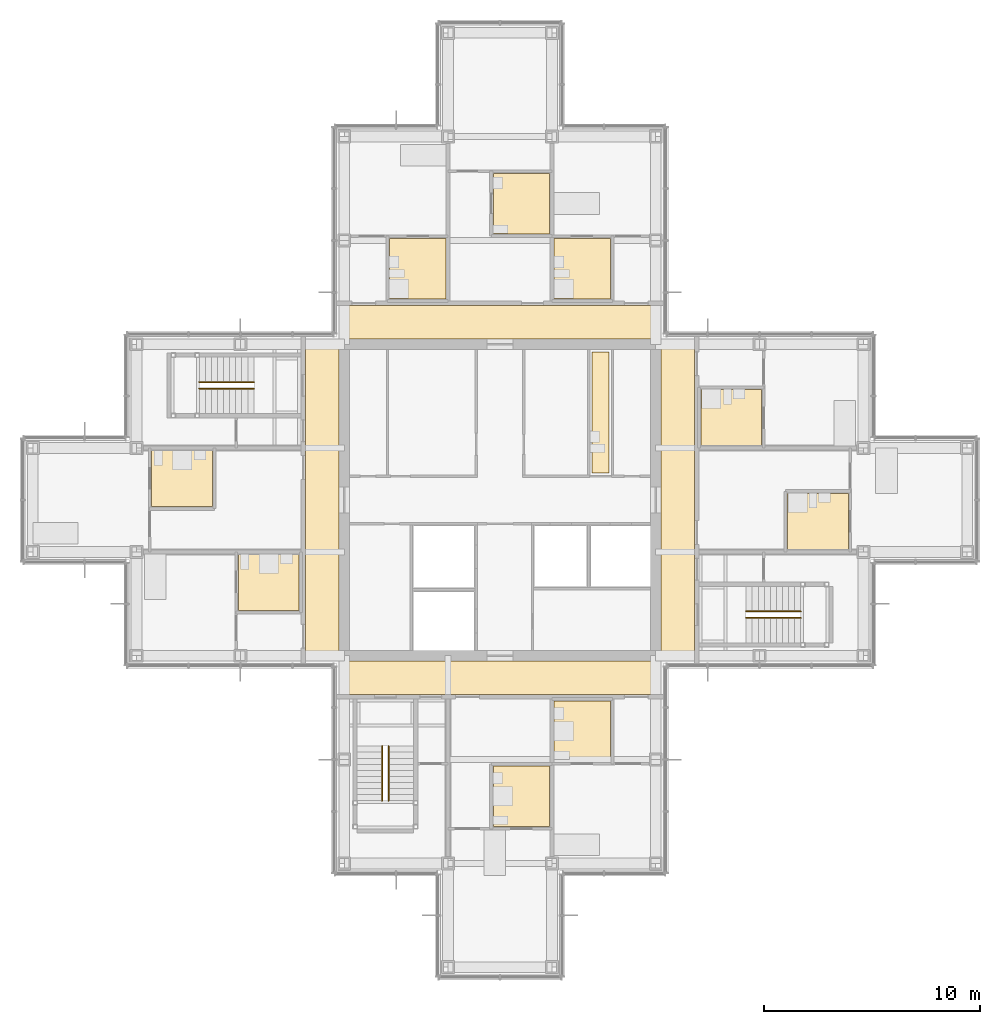
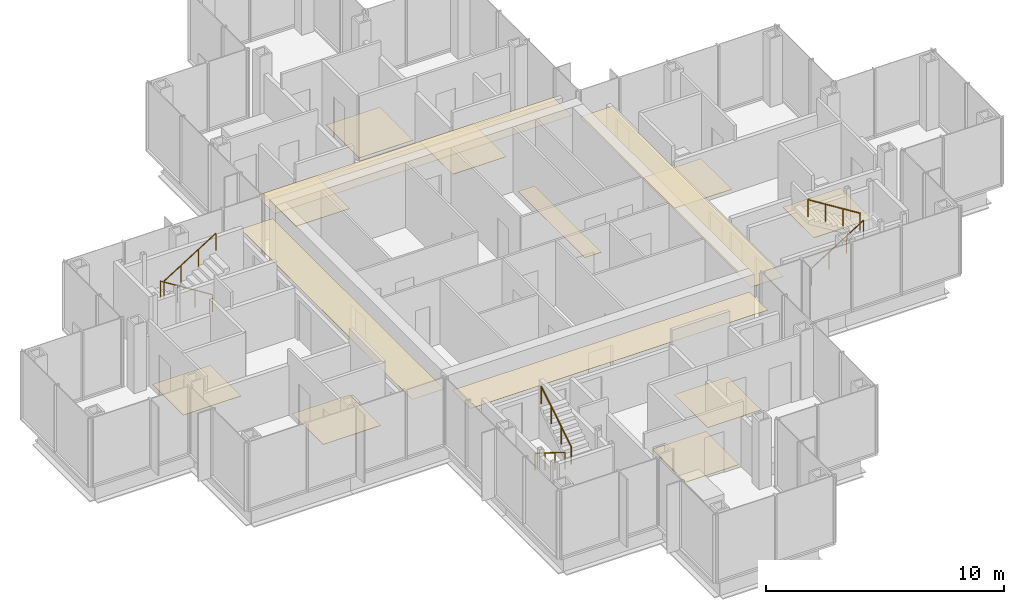
# One storey, part 15 of 17: 14 coverings, 6 railings.
"""IFC4 building model written with IfcOpenShell, lengths in metres."""

import ifcopenshell
import ifcopenshell.guid

model = None  # the IFC model being written
_history = None  # IfcOwnerHistory: only IFC2X3 demands one
_inside = {}  # id of a spatial element -> (the spatial element, [elements in it])
_under = {}  # id of a project, library or spatial element -> (it, [spatial elements below it])
_declared = {}  # id of a project -> (the project, [libraries it declares])
_typed = {}  # id of a type object -> (the type object, [elements of that type])
_made_of = {}  # id of a material, layer set ... -> (it, [elements and type objects made of it])


def new_model(schema):
    """Start an empty IFC model of exactly this schema.

    Asked for "IFC4X3", IfcOpenShell would pick the latest addendum, in which some entities
    have other attributes; the version numbers below select the first issue.
    IFC2X3 requires an IfcOwnerHistory on every rooted entity: one is made here for all.
    """
    global model, _history
    if schema == "IFC4X3":
        model = ifcopenshell.file(schema_version=(4, 3, 0, 0))
    else:
        model = ifcopenshell.file(schema=schema)
    _inside.clear()
    _under.clear()
    _declared.clear()
    _typed.clear()
    _made_of.clear()
    _history = None
    if model.schema == "IFC2X3":
        org = make("IfcOrganization", Name="unknown")
        user = make(
            "IfcPersonAndOrganization",
            ThePerson=make("IfcPerson", FamilyName="unknown"),
            TheOrganization=org,
        )
        app = make(
            "IfcApplication",
            ApplicationDeveloper=org,
            Version="unknown",
            ApplicationFullName="unknown",
            ApplicationIdentifier="unknown",
        )
        _history = make(
            "IfcOwnerHistory",
            OwningUser=user,
            OwningApplication=app,
            ChangeAction="ADDED",
            CreationDate=0,
        )
    return model


def make(cls, **values):
    """One entity of the class cls with the attributes given. An attribute that is None is left unset."""
    return model.create_entity(
        cls, **{name: value for name, value in values.items() if value is not None}
    )


def rooted(cls, **values):
    """An entity with a GlobalId (a new one), such as an element, a storey or a relation."""
    return make(cls, GlobalId=ifcopenshell.guid.new(), OwnerHistory=_history, **values)


def si_unit(unit_type, name, prefix=None):
    """IfcSIUnit, for example si_unit("LENGTHUNIT", "METRE", prefix="MILLI")."""
    return make("IfcSIUnit", UnitType=unit_type, Prefix=prefix, Name=name)


def assignment(units):
    """IfcUnitAssignment: the units of a project."""
    return None if units is None else make("IfcUnitAssignment", Units=units)


def point(xyz):
    """IfcCartesianPoint."""
    return None if xyz is None else make("IfcCartesianPoint", Coordinates=xyz)


def direction(xyz):
    """IfcDirection."""
    return None if xyz is None else make("IfcDirection", DirectionRatios=xyz)


def frame(location, z_axis=None, x_axis=None):
    """IfcAxis2Placement3D, a coordinate frame: its origin and axes. An axis left out is left unset."""
    return make(
        "IfcAxis2Placement3D",
        Location=point(location),
        Axis=direction(z_axis),
        RefDirection=direction(x_axis),
    )


def frame_2d(location, x_axis=None):
    """IfcAxis2Placement2D, a coordinate frame in the plane: its origin and x axis."""
    return make(
        "IfcAxis2Placement2D", Location=point(location), RefDirection=direction(x_axis)
    )


def origin():
    """The frame at (0, 0, 0) with its axes left unset."""
    return frame((0.0, 0.0, 0.0))


def origin_2d():
    """The frame at (0, 0) in the plane with its x axis left unset."""
    return frame_2d((0.0, 0.0))


def place(relative_to, where):
    """IfcLocalPlacement: puts the frame where relative to a parent placement (None: the world)."""
    return make(
        "IfcLocalPlacement", PlacementRelTo=relative_to, RelativePlacement=where
    )


def context(
    kind, dimensions, precision=None, world=None, true_north=None, identifier=None
):
    """IfcGeometricRepresentationContext, for example the 3D "Model" context."""
    return make(
        "IfcGeometricRepresentationContext",
        ContextIdentifier=identifier,
        ContextType=kind,
        CoordinateSpaceDimension=dimensions,
        Precision=precision,
        WorldCoordinateSystem=world,
        TrueNorth=true_north,
    )


def subcontext(parent, identifier, kind, view, scale=None):
    """IfcGeometricRepresentationSubContext, for example "Body" below "Model"."""
    return make(
        "IfcGeometricRepresentationSubContext",
        ContextIdentifier=identifier,
        ContextType=kind,
        ParentContext=parent,
        TargetScale=scale,
        TargetView=view,
    )


def project(units=None, contexts=None):
    """IfcProject with its units and contexts."""
    return rooted(
        "IfcProject",
        Name="project",
        RepresentationContexts=contexts,
        UnitsInContext=assignment(units),
    )


def spatial(cls, under=None, at=None, **own):
    """A site, building, storey or space (cls), placed at a placement, below another one or the project."""
    s = rooted(cls, ObjectPlacement=at, **own)
    if under is not None:
        _under.setdefault(under.id(), (under, []))[1].append(s)
    return s


def polyline(points):
    """IfcPolyline through the points."""
    return make("IfcPolyline", Points=[point(p) for p in points])


def profile(cls, at=None, kind="AREA", **sizes):
    """A parametric profile (cls). Its sizes go by their IFC names, for example OverallWidth=200.0."""
    return make(cls, ProfileType=kind, Position=at, **sizes)


def circle(**sizes):
    """IfcCircleProfileDef."""
    return profile("IfcCircleProfileDef", **sizes)


def outline(outer, holes=None, kind="AREA"):
    """IfcArbitraryClosedProfileDef: a profile drawn as a closed curve; with holes, ...WithVoids."""
    if holes is None:
        return make("IfcArbitraryClosedProfileDef", ProfileType=kind, OuterCurve=outer)
    return make(
        "IfcArbitraryProfileDefWithVoids",
        ProfileType=kind,
        OuterCurve=outer,
        InnerCurves=holes,
    )


def extrude(swept, where, along, depth):
    """IfcExtrudedAreaSolid: the profile swept, set in the frame where, extruded along a direction by depth."""
    return make(
        "IfcExtrudedAreaSolid",
        SweptArea=swept,
        Position=where,
        ExtrudedDirection=direction(along),
        Depth=depth,
    )


def shape(context_of_items, identifier, shape_type, items):
    """IfcShapeRepresentation: the items that make up one representation, for example the "Body"."""
    return make(
        "IfcShapeRepresentation",
        ContextOfItems=context_of_items,
        RepresentationIdentifier=identifier,
        RepresentationType=shape_type,
        Items=items,
    )


def material(Name=None, Category=None):
    """IfcMaterial."""
    return make("IfcMaterial", Name=Name, Category=Category)


def layer(
    of_material, thickness, ventilated=None, Name=None, Category=None, Priority=None
):
    """IfcMaterialLayer: one layer of a wall or slab, of a material (None: an air gap)."""
    return make(
        "IfcMaterialLayer",
        Material=of_material,
        LayerThickness=thickness,
        IsVentilated=ventilated,
        Name=Name,
        Category=Category,
        Priority=Priority,
    )


def layer_set(layers, Name=None):
    """IfcMaterialLayerSet."""
    return make("IfcMaterialLayerSet", MaterialLayers=layers, LayerSetName=Name)


def made_of(thing, what):
    """Note that an element or type object is made of a material, layer set ...; save() writes the relation."""
    if what is not None:
        _made_of.setdefault(what.id(), (what, []))[1].append(thing)
    return thing


def type_object(cls, material=None, **own):
    """A type object (cls), such as IfcWallType, which elements share."""
    return made_of(rooted(cls, **own), material)


def element(
    cls,
    number,
    at=None,
    inside=None,
    cuts=None,
    type_object=None,
    material=None,
    context=None,
    identifier="Body",
    shape_type=None,
    held_by="IfcProductDefinitionShape",
    body=None,
    shapes=None,
    **own,
):
    """One element of the class cls, such as IfcWall. Its Tag is "e" and its number.

    at: its placement. inside: the storey or other place that contains it. cuts: it is an
    opening in that element (IfcRelVoidsElement). A single representation is given by context,
    identifier, shape_type and body (its items); several are given by shapes. held_by: the class
    of the entity that holds the representations. save() writes the other relations.
    """
    e = rooted(cls, Tag="e%d" % number, ObjectPlacement=at, **own)
    if body is not None:
        shapes = [shape(context, identifier, shape_type, body)]
    if shapes is not None:
        e.Representation = make(held_by, Representations=shapes)
    if inside is not None:
        _inside.setdefault(inside.id(), (inside, []))[1].append(e)
    if cuts is not None:
        rooted(
            "IfcRelVoidsElement", RelatingBuildingElement=cuts, RelatedOpeningElement=e
        )
    if type_object is not None:
        _typed.setdefault(type_object.id(), (type_object, []))[1].append(e)
    return made_of(e, material)


def aggregate(whole, parts):
    """IfcRelAggregates: a whole, such as a stair, and the parts it consists of."""
    return rooted("IfcRelAggregates", RelatingObject=whole, RelatedObjects=parts)


def save(model, path):
    """Write the relations noted so far, then the file.

    IfcRelAggregates (storeys below a building ...), IfcRelContainedInSpatialStructure (elements
    in a storey), IfcRelDefinesByType, IfcRelAssociatesMaterial and IfcRelDeclares: one each for
    every whole, place, type object, material and project.
    """
    for whole, parts in _under.values():
        aggregate(whole, parts)
    for where, things in _inside.values():
        rooted(
            "IfcRelContainedInSpatialStructure",
            RelatedElements=things,
            RelatingStructure=where,
        )
    for kind, things in _typed.values():
        rooted("IfcRelDefinesByType", RelatedObjects=things, RelatingType=kind)
    for what, things in _made_of.values():
        rooted("IfcRelAssociatesMaterial", RelatedObjects=things, RelatingMaterial=what)
    for by, libraries in _declared.values():
        rooted("IfcRelDeclares", RelatingContext=by, RelatedDefinitions=libraries)
    model.write(path)


model = new_model("IFC4")

# Units and contexts
model_context = context("Model", 3, precision=1e-05, world=origin(), true_north=direction((0.0, 1.0)))
body_context = subcontext(model_context, "Body", "Model", "MODEL_VIEW")
ifc_project = project(units=[si_unit("LENGTHUNIT", "METRE"), si_unit("AREAUNIT", "SQUARE_METRE"), si_unit("VOLUMEUNIT", "CUBIC_METRE"), si_unit("PLANEANGLEUNIT", "RADIAN"), si_unit("MASSUNIT", "GRAM", prefix="KILO")], contexts=[model_context])

# Site, building, storey
site_placement = place(None, origin())
site = spatial("IfcSite", under=ifc_project, at=site_placement, CompositionType="ELEMENT")
building_placement = place(site_placement, origin())
building = spatial("IfcBuilding", under=site, at=building_placement, Name="Kvirike Care Tower", CompositionType="ELEMENT")
storey_placement = place(building_placement, frame((0.0, 0.0, 183.0)))
storey = spatial("IfcBuildingStorey", under=building, at=storey_placement, Name="L50", CompositionType="ELEMENT", Elevation=183.0)

# Coverings
ifc_material_1 = material(Name="Perforated metal ceiling tile", Category="aluminium")
ifc_layer_1 = layer(ifc_material_1, 0.014892578125)
ifc_layer_set_1 = layer_set([ifc_layer_1], Name="CORRIDOR CEILING 15")
covering_type_1 = type_object("IfcCoveringType", Name="CORRIDOR CEILING 15", PredefinedType="CEILING", material=ifc_layer_set_1)
covering_1_placement = place(storey_placement, frame((0.0, 0.0, 2.5)))
element("IfcCovering", 1, at=covering_1_placement, inside=storey, type_object=covering_type_1, Name="Corridor ceiling L50", PredefinedType="CEILING", context=body_context, shape_type="SweptSolid", body=[
    extrude(outline(polyline([(12.60009765625, 43.199951171875), (14.14990234375, 43.199951171875), (14.14990234375, 28.800048828125), (12.60009765625, 28.800048828125), (12.60009765625, 43.199951171875)])), origin(), (0.0, 0.0, 1.0), 0.014892578125),
])
covering_2_placement = place(storey_placement, frame((0.0, 0.0, 2.5)))
element("IfcCovering", 2, at=covering_2_placement, inside=storey, type_object=covering_type_1, Name="Corridor ceiling L50", PredefinedType="CEILING", context=body_context, shape_type="SweptSolid", body=[
    extrude(outline(polyline([(14.39990234375, 27.0), (14.39990234375, 28.550048828125), (28.800048828125, 28.550048828125), (28.800048828125, 27.0), (14.39990234375, 27.0)])), origin(), (0.0, 0.0, 1.0), 0.014892578125),
])
covering_3_placement = place(storey_placement, frame((0.0, 0.0, 2.5)))
element("IfcCovering", 3, at=covering_3_placement, inside=storey, type_object=covering_type_1, Name="Corridor ceiling L50", PredefinedType="CEILING", context=body_context, shape_type="SweptSolid", body=[
    extrude(outline(polyline([(28.800048828125, 45.0), (28.800048828125, 43.449951171875), (14.39990234375, 43.449951171875), (14.39990234375, 45.0), (28.800048828125, 45.0)])), origin(), (0.0, 0.0, 1.0), 0.014892578125),
])
covering_4_placement = place(storey_placement, frame((0.0, 0.0, 2.5)))
element("IfcCovering", 4, at=covering_4_placement, inside=storey, type_object=covering_type_1, Name="Corridor ceiling L50", PredefinedType="CEILING", context=body_context, shape_type="SweptSolid", body=[
    extrude(outline(polyline([(30.60009765625, 28.800048828125), (29.050048828125, 28.800048828125), (29.050048828125, 43.199951171875), (30.60009765625, 43.199951171875), (30.60009765625, 28.800048828125)])), origin(), (0.0, 0.0, 1.0), 0.014892578125),
])

# Railings
ifc_material_2 = material(Name="Stainless steel handrail", Category="steel")
railing_type = type_object("IfcRailingType", Name="STAIR HANDRAIL 900", PredefinedType="HANDRAIL", material=ifc_material_2)
railing_1_placement = place(storey_placement, frame((10.219970703125, 41.449951171875, 0.175048828125)))
element("IfcRailing", 5, at=railing_1_placement, inside=storey, type_object=railing_type, Name="Stair 1 handrail L50 flight 1", PredefinedType="HANDRAIL", context=body_context, shape_type="SweptSolid", body=[
    extrude(circle(Radius=0.02490234375, at=origin_2d()), frame((0.0, 0.0, 0.875), z_axis=(-0.848007534815, 0.0, 0.529984170421), x_axis=(0.0, -1.0, 0.0)), (0.0, 0.0, 1.0), 2.9716796875),
    extrude(circle(Radius=0.02001953125, at=origin_2d()), origin(), (0.0, 0.0, 1.0), 0.849853515625),
    extrude(circle(Radius=0.02001953125, at=origin_2d()), frame((-0.840087890625, 0.0, 0.52490234375)), (0.0, 0.0, 1.0), 0.849853515625),
    extrude(circle(Radius=0.02001953125, at=origin_2d()), frame((-1.679931640625, 0.0, 1.050048828125)), (0.0, 0.0, 1.0), 0.849853515625),
    extrude(circle(Radius=0.02001953125, at=origin_2d()), frame((-2.52001953125, 0.0, 1.574951171875)), (0.0, 0.0, 1.0), 0.849853515625),
])
for number, where, name in (
    (6, (7.699951171875, 41.14990234375, 1.925048828125), "Stair 1 handrail L50 flight 2"),
    (7, (32.97998046875, 30.550048828125, 0.175048828125), "Stair 2 handrail L50 flight 1"),
):
    element("IfcRailing", number, at=place(storey_placement, frame(where)), inside=storey, type_object=railing_type, Name=name, PredefinedType="HANDRAIL", context=body_context, shape_type="SweptSolid", body=[
        extrude(circle(Radius=0.02490234375, at=origin_2d()), frame((0.0, 0.0, 0.875), z_axis=(0.848007534815, 0.0, 0.529984170421), x_axis=(0.0, 1.0, 0.0)), (0.0, 0.0, 1.0), 2.9716796875),
        extrude(circle(Radius=0.02001953125, at=origin_2d()), origin(), (0.0, 0.0, 1.0), 0.849853515625),
        extrude(circle(Radius=0.02001953125, at=origin_2d()), frame((0.840087890625, 0.0, 0.52490234375)), (0.0, 0.0, 1.0), 0.849853515625),
        extrude(circle(Radius=0.02001953125, at=origin_2d()), frame((1.679931640625, 0.0, 1.050048828125)), (0.0, 0.0, 1.0), 0.849853515625),
        extrude(circle(Radius=0.02001953125, at=origin_2d()), frame((2.52001953125, 0.0, 1.574951171875)), (0.0, 0.0, 1.0), 0.849853515625),
    ])
railing_2_placement = place(storey_placement, frame((35.5, 30.85009765625, 1.925048828125)))
element("IfcRailing", 8, at=railing_2_placement, inside=storey, type_object=railing_type, Name="Stair 2 handrail L50 flight 2", PredefinedType="HANDRAIL", context=body_context, shape_type="SweptSolid", body=[
    extrude(circle(Radius=0.02490234375, at=origin_2d()), frame((0.0, 0.0, 0.875), z_axis=(-0.848007534815, 0.0, 0.529984170421), x_axis=(0.0, -1.0, 0.0)), (0.0, 0.0, 1.0), 2.9716796875),
    extrude(circle(Radius=0.02001953125, at=origin_2d()), origin(), (0.0, 0.0, 1.0), 0.849853515625),
    extrude(circle(Radius=0.02001953125, at=origin_2d()), frame((-0.840087890625, 0.0, 0.52490234375)), (0.0, 0.0, 1.0), 0.849853515625),
    extrude(circle(Radius=0.02001953125, at=origin_2d()), frame((-1.679931640625, 0.0, 1.050048828125)), (0.0, 0.0, 1.0), 0.849853515625),
    extrude(circle(Radius=0.02001953125, at=origin_2d()), frame((-2.52001953125, 0.0, 1.574951171875)), (0.0, 0.0, 1.0), 0.849853515625),
])
railing_3_placement = place(storey_placement, frame((16.14990234375, 24.6201171875, 0.175048828125)))
element("IfcRailing", 9, at=railing_3_placement, inside=storey, type_object=railing_type, Name="Stair 5 handrail L50 flight 1", PredefinedType="HANDRAIL", context=body_context, shape_type="SweptSolid", body=[
    extrude(circle(Radius=0.02490234375, at=origin_2d()), frame((0.0, 0.0, 0.875), z_axis=(0.0, -0.848007534815, 0.529984170421), x_axis=(1.0, 0.0, 0.0)), (0.0, 0.0, 1.0), 2.9716796875),
    extrude(circle(Radius=0.02001953125, at=origin_2d()), origin(), (0.0, 0.0, 1.0), 0.849853515625),
    extrude(circle(Radius=0.02001953125, at=origin_2d()), frame((0.0, -0.840087890625, 0.52490234375)), (0.0, 0.0, 1.0), 0.849853515625),
    extrude(circle(Radius=0.02001953125, at=origin_2d()), frame((0.0, -1.679931640625, 1.050048828125)), (0.0, 0.0, 1.0), 0.849853515625),
    extrude(circle(Radius=0.02001953125, at=origin_2d()), frame((0.0, -2.52001953125, 1.574951171875)), (0.0, 0.0, 1.0), 0.849853515625),
])
railing_4_placement = place(storey_placement, frame((16.449951171875, 22.10009765625, 1.925048828125)))
element("IfcRailing", 10, at=railing_4_placement, inside=storey, type_object=railing_type, Name="Stair 5 handrail L50 flight 2", PredefinedType="HANDRAIL", context=body_context, shape_type="SweptSolid", body=[
    extrude(circle(Radius=0.02490234375, at=origin_2d()), frame((0.0, 0.0, 0.875), z_axis=(0.0, 0.848007534815, 0.529984170421), x_axis=(-1.0, 0.0, 0.0)), (0.0, 0.0, 1.0), 2.9716796875),
    extrude(circle(Radius=0.02001953125, at=origin_2d()), origin(), (0.0, 0.0, 1.0), 0.849853515625),
    extrude(circle(Radius=0.02001953125, at=origin_2d()), frame((0.0, 0.840087890625, 0.52490234375)), (0.0, 0.0, 1.0), 0.849853515625),
    extrude(circle(Radius=0.02001953125, at=origin_2d()), frame((0.0, 1.679931640625, 1.050048828125)), (0.0, 0.0, 1.0), 0.849853515625),
    extrude(circle(Radius=0.02001953125, at=origin_2d()), frame((0.0, 2.52001953125, 1.574951171875)), (0.0, 0.0, 1.0), 0.849853515625),
])

# Coverings
ifc_material_3 = material(Name="Slip-resistant vinyl safety flooring on screed")
ifc_layer_2 = layer(ifc_material_3, 0.02001953125)
ifc_layer_set_2 = layer_set([ifc_layer_2], Name="WET ROOM FLOOR 20")
covering_type_2 = type_object("IfcCoveringType", Name="WET ROOM FLOOR 20", PredefinedType="FLOORING", material=ifc_layer_set_2)
covering_5_placement = place(storey_placement, origin())
element("IfcCovering", 11, at=covering_5_placement, inside=storey, type_object=covering_type_2, Name="En-suite floor L50-006", PredefinedType="FLOORING", context=body_context, shape_type="SweptSolid", body=[
    extrude(outline(polyline([(5.5, 38.300048828125), (8.300048828125, 38.300048828125), (8.300048828125, 35.699951171875), (5.5, 35.699951171875), (5.5, 38.300048828125)])), origin(), (0.0, 0.0, 1.0), 0.02001953125),
])
covering_6_placement = place(storey_placement, origin())
element("IfcCovering", 12, at=covering_6_placement, inside=storey, type_object=covering_type_2, Name="En-suite floor L50-009", PredefinedType="FLOORING", context=body_context, shape_type="SweptSolid", body=[
    extrude(outline(polyline([(9.5, 33.5), (12.300048828125, 33.5), (12.300048828125, 30.89990234375), (9.5, 30.89990234375), (9.5, 33.5)])), origin(), (0.0, 0.0, 1.0), 0.02001953125),
])
covering_7_placement = place(storey_placement, origin())
element("IfcCovering", 13, at=covering_7_placement, inside=storey, type_object=covering_type_2, Name="En-suite floor L50-016", PredefinedType="FLOORING", context=body_context, shape_type="SweptSolid", body=[
    extrude(outline(polyline([(21.300048828125, 20.89990234375), (21.300048828125, 23.699951171875), (23.89990234375, 23.699951171875), (23.89990234375, 20.89990234375), (21.300048828125, 20.89990234375)])), origin(), (0.0, 0.0, 1.0), 0.02001953125),
])
covering_8_placement = place(storey_placement, origin())
element("IfcCovering", 14, at=covering_8_placement, inside=storey, type_object=covering_type_2, Name="En-suite floor L50-019", PredefinedType="FLOORING", context=body_context, shape_type="SweptSolid", body=[
    extrude(outline(polyline([(24.10009765625, 23.89990234375), (24.10009765625, 26.699951171875), (26.699951171875, 26.699951171875), (26.699951171875, 23.89990234375), (24.10009765625, 23.89990234375)])), origin(), (0.0, 0.0, 1.0), 0.02001953125),
])
covering_9_placement = place(storey_placement, origin())
element("IfcCovering", 15, at=covering_9_placement, inside=storey, type_object=covering_type_2, Name="En-suite floor L50-023", PredefinedType="FLOORING", context=body_context, shape_type="SweptSolid", body=[
    extrude(outline(polyline([(26.699951171875, 48.10009765625), (26.699951171875, 45.300048828125), (24.10009765625, 45.300048828125), (24.10009765625, 48.10009765625), (26.699951171875, 48.10009765625)])), origin(), (0.0, 0.0, 1.0), 0.02001953125),
])
covering_10_placement = place(storey_placement, origin())
element("IfcCovering", 16, at=covering_10_placement, inside=storey, type_object=covering_type_2, Name="Staff WC floor L50-026", PredefinedType="FLOORING", context=body_context, shape_type="SweptSolid", body=[
    extrude(outline(polyline([(23.89990234375, 51.10009765625), (23.89990234375, 48.300048828125), (21.300048828125, 48.300048828125), (21.300048828125, 51.10009765625), (23.89990234375, 51.10009765625)])), origin(), (0.0, 0.0, 1.0), 0.02001953125),
])
covering_11_placement = place(storey_placement, origin())
element("IfcCovering", 17, at=covering_11_placement, inside=storey, type_object=covering_type_2, Name="En-suite floor L50-029", PredefinedType="FLOORING", context=body_context, shape_type="SweptSolid", body=[
    extrude(outline(polyline([(19.10009765625, 48.10009765625), (19.10009765625, 45.300048828125), (16.5, 45.300048828125), (16.5, 48.10009765625), (19.10009765625, 48.10009765625)])), origin(), (0.0, 0.0, 1.0), 0.02001953125),
])
covering_12_placement = place(storey_placement, origin())
element("IfcCovering", 18, at=covering_12_placement, inside=storey, type_object=covering_type_2, Name="En-suite floor L50-036", PredefinedType="FLOORING", context=body_context, shape_type="SweptSolid", body=[
    extrude(outline(polyline([(37.699951171875, 33.699951171875), (34.89990234375, 33.699951171875), (34.89990234375, 36.300048828125), (37.699951171875, 36.300048828125), (37.699951171875, 33.699951171875)])), origin(), (0.0, 0.0, 1.0), 0.02001953125),
])
covering_13_placement = place(storey_placement, origin())
element("IfcCovering", 19, at=covering_13_placement, inside=storey, type_object=covering_type_2, Name="En-suite floor L50-039", PredefinedType="FLOORING", context=body_context, shape_type="SweptSolid", body=[
    extrude(outline(polyline([(33.699951171875, 38.5), (30.89990234375, 38.5), (30.89990234375, 41.10009765625), (33.699951171875, 41.10009765625), (33.699951171875, 38.5)])), origin(), (0.0, 0.0, 1.0), 0.02001953125),
])
covering_14_placement = place(storey_placement, origin())
element("IfcCovering", 20, at=covering_14_placement, inside=storey, type_object=covering_type_2, Name="Staff WC floor L50-047", PredefinedType="FLOORING", context=body_context, shape_type="SweptSolid", body=[
    extrude(outline(polyline([(26.64990234375, 37.25), (25.85009765625, 37.25), (25.85009765625, 42.85009765625), (26.64990234375, 42.85009765625), (26.64990234375, 37.25)])), origin(), (0.0, 0.0, 1.0), 0.02001953125),
])

save(model, "model.ifc")
